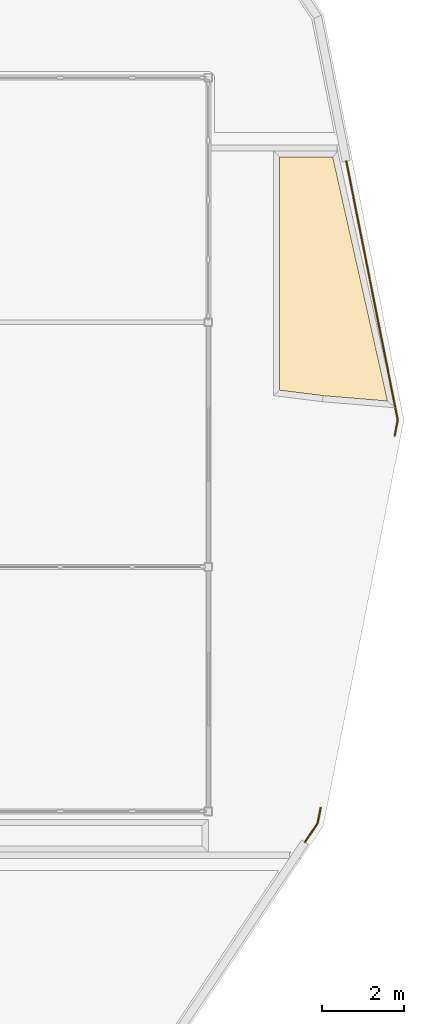
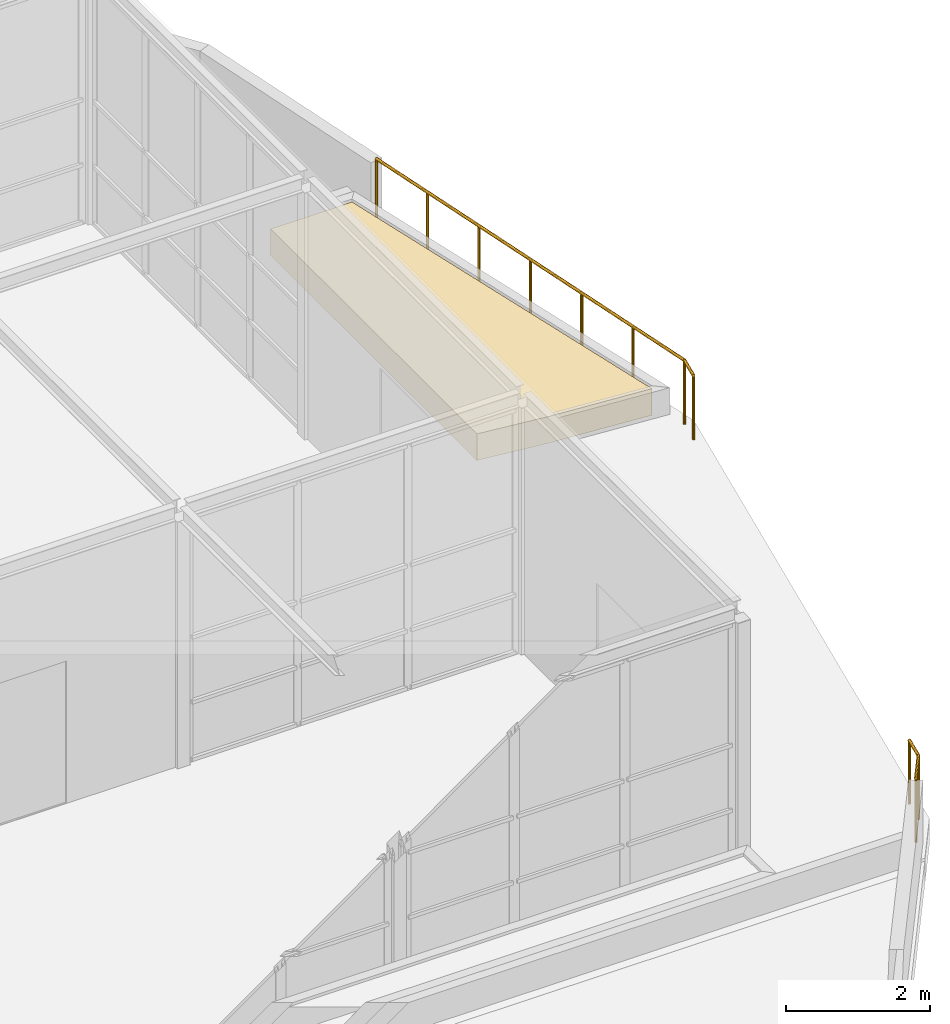
# One storey, part 38 of 40: 4 railings, 1 covering.
"""IFC4 building model written with IfcOpenShell, lengths in metres."""

from ifc_helpers import new_model, si_unit, direction, frame, origin, origin_2d, place, context, subcontext, project, spatial, polyline, circle, outline, extrude, material, layer, layer_set, type_object, element, save


model = new_model("IFC4")

# Units and contexts
model_context = context("Model", 3, precision=1e-05, world=origin(), true_north=direction((0.0, 1.0)))
body_context = subcontext(model_context, "Body", "Model", "MODEL_VIEW")
ifc_project = project(units=[si_unit("LENGTHUNIT", "METRE"), si_unit("AREAUNIT", "SQUARE_METRE"), si_unit("VOLUMEUNIT", "CUBIC_METRE"), si_unit("PLANEANGLEUNIT", "RADIAN"), si_unit("MASSUNIT", "GRAM", prefix="KILO")], contexts=[model_context])

# Site, building, storey
site_placement = place(None, origin())
site = spatial("IfcSite", under=ifc_project, at=site_placement, CompositionType="ELEMENT")
building_placement = place(site_placement, origin())
building = spatial("IfcBuilding", under=site, at=building_placement, Name="Ceibo Conservatory and Research Tower", CompositionType="ELEMENT")
storey_placement = place(building_placement, frame((0.0, 0.0, 6.0)))
storey = spatial("IfcBuildingStorey", under=building, at=storey_placement, Name="L01", CompositionType="ELEMENT", Elevation=6.0)

# Railings
ifc_material_1 = material(Name="Stainless steel AISI 316", Category="steel")
railing_type = type_object("IfcRailingType", Name="Pavilion terrace guard 1100", PredefinedType="GUARDRAIL", material=ifc_material_1)
railing_1_placement = place(storey_placement, frame((193.84716796875, 36.0, 0.0)))
element("IfcRailing", 1, at=railing_1_placement, inside=storey, type_object=railing_type, Name="Pavilion guard 1", PredefinedType="GUARDRAIL", context=body_context, shape_type="SweptSolid", body=[
    extrude(circle(Radius=0.02392578125, at=origin_2d()), frame((0.0, 0.0, 1.076171875), z_axis=(-0.1951008166, 0.980783192842, 0.0), x_axis=(-0.980783192842, -0.1951008166, 0.0)), (0.0, 0.0, 1.0), 6.474609375),
    extrude(circle(Radius=0.02099609375, at=origin_2d()), origin(), (0.0, 0.0, 1.0), 1.052001953125),
    extrude(circle(Radius=0.02099609375, at=origin_2d()), frame((-0.21044921875, 1.058349609375, 0.0)), (0.0, 0.0, 1.0), 1.052001953125),
    extrude(circle(Radius=0.02099609375, at=origin_2d()), frame((-0.421142578125, 2.11669921875, 0.0)), (0.0, 0.0, 1.0), 1.052001953125),
    extrude(circle(Radius=0.02099609375, at=origin_2d()), frame((-0.631591796875, 3.175048828125, 0.0)), (0.0, 0.0, 1.0), 1.052001953125),
    extrude(circle(Radius=0.02099609375, at=origin_2d()), frame((-0.842041015625, 4.2333984375, 0.0)), (0.0, 0.0, 1.0), 1.052001953125),
    extrude(circle(Radius=0.02099609375, at=origin_2d()), frame((-1.052734375, 5.291748046875, 0.0)), (0.0, 0.0, 1.0), 1.052001953125),
    extrude(circle(Radius=0.02099609375, at=origin_2d()), frame((-1.26318359375, 6.35009765625, 0.0)), (0.0, 0.0, 1.0), 1.052001953125),
])
railing_2_placement = place(storey_placement, frame((191.572998046875, 25.64990234375, 0.0)))
element("IfcRailing", 2, at=railing_2_placement, inside=storey, type_object=railing_type, Name="Pavilion guard 5", PredefinedType="GUARDRAIL", context=body_context, shape_type="SweptSolid", body=[
    extrude(circle(Radius=0.02392578125, at=origin_2d()), frame((0.0, 0.0, 1.076171875), z_axis=(0.555720823688, 0.831368971107, 0.0), x_axis=(-0.831368971107, 0.555720823688, 0.0)), (0.0, 0.0, 1.0), 0.5517578125),
    extrude(circle(Radius=0.02099609375, at=origin_2d()), origin(), (0.0, 0.0, 1.0), 1.052001953125),
    extrude(circle(Radius=0.02099609375, at=origin_2d()), frame((0.306640625, 0.458740234375, 0.0)), (0.0, 0.0, 1.0), 1.052001953125),
])
railing_3_placement = place(storey_placement, frame((191.879638671875, 26.108642578125, 0.0)))
element("IfcRailing", 3, at=railing_3_placement, inside=storey, type_object=railing_type, Name="Pavilion guard 6", PredefinedType="GUARDRAIL", context=body_context, shape_type="SweptSolid", body=[
    extrude(circle(Radius=0.02392578125, at=origin_2d()), frame((0.0, 0.0, 1.076171875), z_axis=(0.194680580379, 0.980866694115, 0.0), x_axis=(-0.980866694115, 0.194680580379, 0.0)), (0.0, 0.0, 1.0), 0.392578125),
    extrude(circle(Radius=0.02099609375, at=origin_2d()), origin(), (0.0, 0.0, 1.0), 1.052001953125),
    extrude(circle(Radius=0.02099609375, at=origin_2d()), frame((0.076416015625, 0.385009765625, 0.0)), (0.0, 0.0, 1.0), 1.052001953125),
])
railing_4_placement = place(storey_placement, frame((193.7705078125, 35.614990234375, 0.0)))
element("IfcRailing", 4, at=railing_4_placement, inside=storey, type_object=railing_type, Name="Pavilion guard 7", PredefinedType="GUARDRAIL", context=body_context, shape_type="SweptSolid", body=[
    extrude(circle(Radius=0.02392578125, at=origin_2d()), frame((0.0, 0.0, 1.076171875), z_axis=(0.195278880808, 0.980747754884, 0.0), x_axis=(-0.980747754884, 0.195278880808, 0.0)), (0.0, 0.0, 1.0), 0.392578125),
    extrude(circle(Radius=0.02099609375, at=origin_2d()), origin(), (0.0, 0.0, 1.0), 1.052001953125),
    extrude(circle(Radius=0.02099609375, at=origin_2d()), frame((0.07666015625, 0.385009765625, 0.0)), (0.0, 0.0, 1.0), 1.052001953125),
])

# Covering
ifc_material_2 = material(Name="Planting soil")
ifc_layer = layer(ifc_material_2, 0.449951171875)
ifc_layer_set = layer_set([ifc_layer], Name="Planting soil")
covering_type = type_object("IfcCoveringType", Name="Roof garden planting soil 450", PredefinedType="FLOORING", material=ifc_layer_set)
covering_placement = place(storey_placement, frame((0.0, 0.0, -0.050048828125)))
element("IfcCovering", 5, at=covering_placement, inside=storey, type_object=covering_type, Name="Planting bed PB04", PredefinedType="FLOORING", context=body_context, shape_type="SweptSolid", body=[
    extrude(outline(polyline([(192.015625, 36.59912109375), (193.59619140625, 36.466552734375), (192.252197265625, 42.449951171875), (190.949951171875, 42.449951171875), (190.949951171875, 36.732421875), (192.015625, 36.59912109375)])), origin(), (0.0, 0.0, 1.0), 0.449951171875),
])

save(model, "model.ifc")
